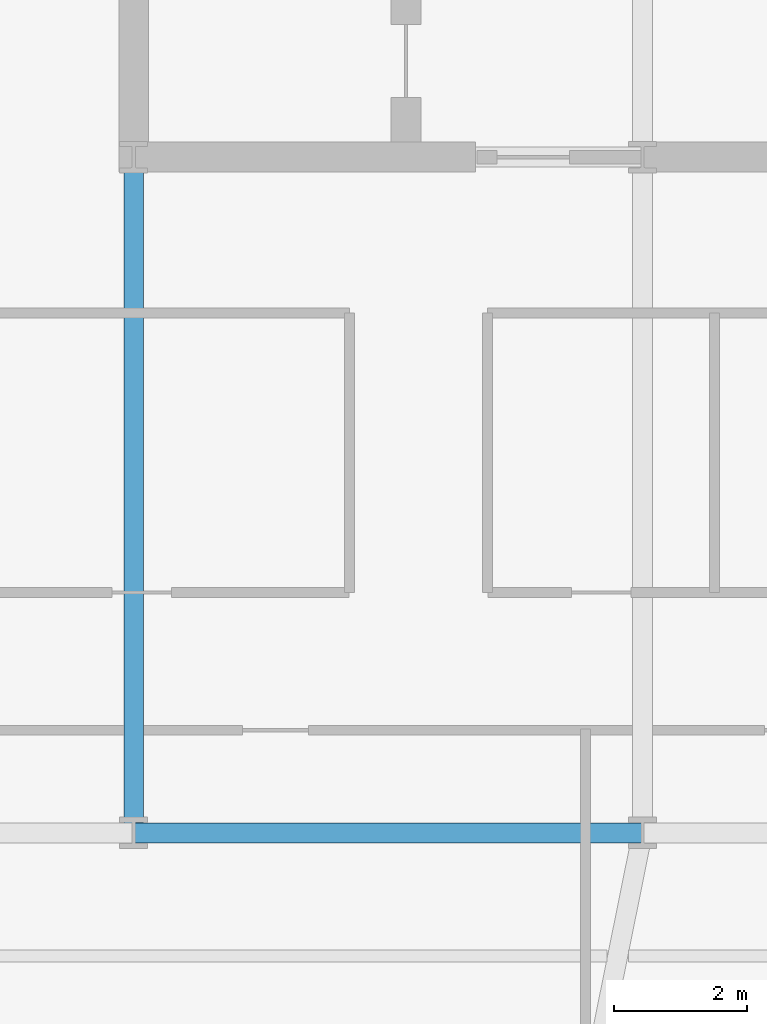
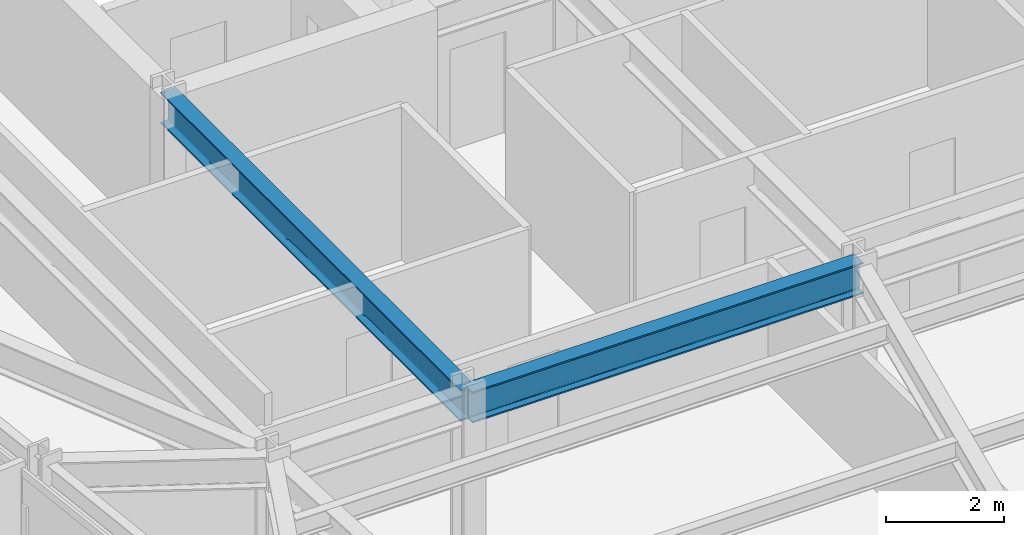
# One storey, part 7 of 33: 2 beams.
"""IFC4 building model written with IfcOpenShell, lengths in metres."""

from ifc_helpers import new_model, si_unit, direction, frame, origin, origin_2d, place, context, subcontext, project, spatial, i_section, extrude, material, material_profile, profile_set, type_object, element, save


model = new_model("IFC4")

# Units and contexts
model_context = context("Model", 3, precision=1e-05, world=origin(), true_north=direction((0.0, 1.0)))
body_context = subcontext(model_context, "Body", "Model", "MODEL_VIEW")
ifc_project = project(units=[si_unit("LENGTHUNIT", "METRE"), si_unit("AREAUNIT", "SQUARE_METRE"), si_unit("VOLUMEUNIT", "CUBIC_METRE"), si_unit("PLANEANGLEUNIT", "RADIAN"), si_unit("MASSUNIT", "GRAM", prefix="KILO")], contexts=[model_context])

# Site, building, storey
site_placement = place(None, origin())
site = spatial("IfcSite", under=ifc_project, at=site_placement, CompositionType="ELEMENT")
building_placement = place(site_placement, origin())
building = spatial("IfcBuilding", under=site, at=building_placement, Name="Yelkora Congress Tower", CompositionType="ELEMENT")
storey_placement = place(building_placement, frame((0.0, 0.0, 106.699951171875)))
storey = spatial("IfcBuildingStorey", under=building, at=storey_placement, Name="L28", CompositionType="ELEMENT", Elevation=106.699951171875)

# Beams
ifc_material = material(Name="Steel S355J2", Category="steel")
ifc_material_profile = material_profile(ifc_material, i_section(OverallWidth=0.300048828125, OverallDepth=0.64990234375, WebThickness=0.01611328125, FlangeThickness=0.031005859375, FilletRadius=0.027099609375, at=origin_2d()), Name="HEB 650")
ifc_profile_set = profile_set([ifc_material_profile], Name="Steel S355J2")
beam_type = type_object("IfcBeamType", Name="BM-GIRD-HEB650", PredefinedType="BEAM", material=ifc_profile_set)
beam_1_placement = place(storey_placement, frame((23.0400390625, 25.199951171875, 2.85498046875), z_axis=(1.0, 0.0, 0.0), x_axis=(0.0, 1.0, 0.0)))
element("IfcBeam", 1, at=beam_1_placement, inside=storey, type_object=beam_type, Name="L28 Spine Grid D Girder 2", PredefinedType="BEAM", context=body_context, shape_type="SweptSolid", body=[
    extrude(i_section(OverallWidth=0.300048828125, OverallDepth=0.64990234375, WebThickness=0.01611328125, FlangeThickness=0.031005859375, FilletRadius=0.027099609375, at=origin_2d()), origin(), (0.0, 0.0, 1.0), 7.679931640625),
])
beam_2_placement = place(storey_placement, frame((23.0400390625, 25.199951171875, 2.85498046875), z_axis=(0.0, 1.0, 0.0), x_axis=(-1.0, 0.0, 0.0)))
element("IfcBeam", 2, at=beam_2_placement, inside=storey, type_object=beam_type, Name="L28 Core Tie Girder MC-D1", PredefinedType="BEAM", context=body_context, shape_type="SweptSolid", body=[
    extrude(i_section(OverallWidth=0.300048828125, OverallDepth=0.64990234375, WebThickness=0.01611328125, FlangeThickness=0.031005859375, FilletRadius=0.027099609375, at=origin_2d()), origin(), (0.0, 0.0, 1.0), 10.199951171875),
])

save(model, "model.ifc")
